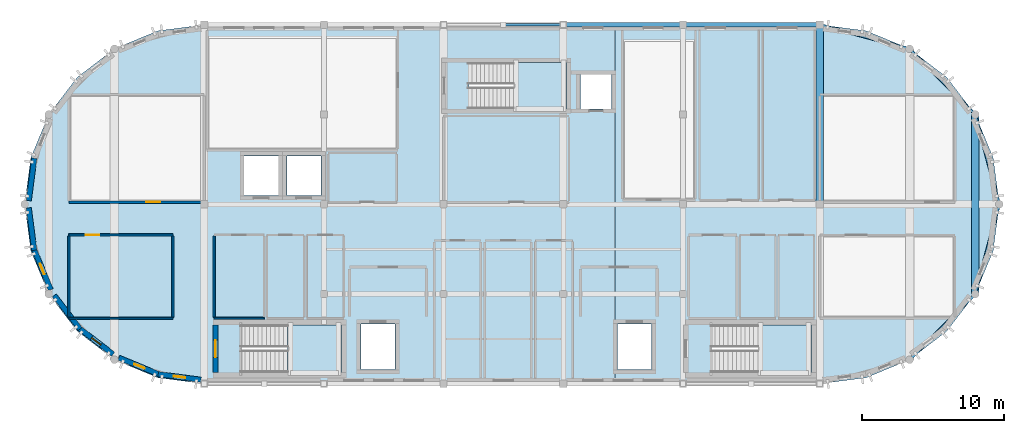
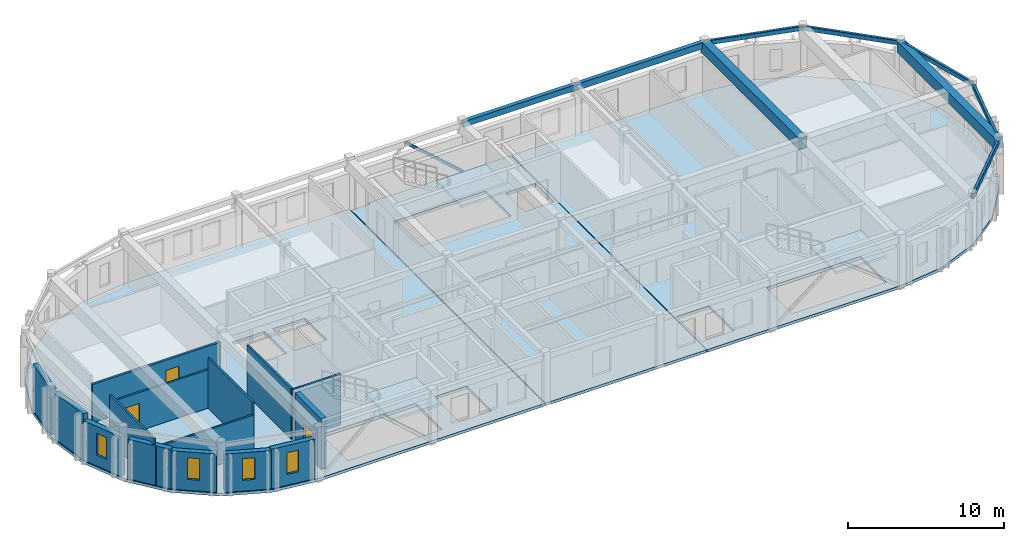
# One storey, part 2 of 11: 15 walls, 9 beams, 6 slabs, 4 windows, 3 doors, 1 member, 7 openings, 3 elements without a shape of their own.
"""IFC4 building model written with IfcOpenShell, lengths in metres."""

import ifcopenshell
import ifcopenshell.guid

model = None  # the IFC model being written
_history = None  # IfcOwnerHistory: only IFC2X3 demands one
_inside = {}  # id of a spatial element -> (the spatial element, [elements in it])
_under = {}  # id of a project, library or spatial element -> (it, [spatial elements below it])
_declared = {}  # id of a project -> (the project, [libraries it declares])
_typed = {}  # id of a type object -> (the type object, [elements of that type])
_made_of = {}  # id of a material, layer set ... -> (it, [elements and type objects made of it])


def new_model(schema):
    """Start an empty IFC model of exactly this schema.

    Asked for "IFC4X3", IfcOpenShell would pick the latest addendum, in which some entities
    have other attributes; the version numbers below select the first issue.
    IFC2X3 requires an IfcOwnerHistory on every rooted entity: one is made here for all.
    """
    global model, _history
    if schema == "IFC4X3":
        model = ifcopenshell.file(schema_version=(4, 3, 0, 0))
    else:
        model = ifcopenshell.file(schema=schema)
    _inside.clear()
    _under.clear()
    _declared.clear()
    _typed.clear()
    _made_of.clear()
    _history = None
    if model.schema == "IFC2X3":
        org = make("IfcOrganization", Name="unknown")
        user = make(
            "IfcPersonAndOrganization",
            ThePerson=make("IfcPerson", FamilyName="unknown"),
            TheOrganization=org,
        )
        app = make(
            "IfcApplication",
            ApplicationDeveloper=org,
            Version="unknown",
            ApplicationFullName="unknown",
            ApplicationIdentifier="unknown",
        )
        _history = make(
            "IfcOwnerHistory",
            OwningUser=user,
            OwningApplication=app,
            ChangeAction="ADDED",
            CreationDate=0,
        )
    return model


def make(cls, **values):
    """One entity of the class cls with the attributes given. An attribute that is None is left unset."""
    return model.create_entity(
        cls, **{name: value for name, value in values.items() if value is not None}
    )


def rooted(cls, **values):
    """An entity with a GlobalId (a new one), such as an element, a storey or a relation."""
    return make(cls, GlobalId=ifcopenshell.guid.new(), OwnerHistory=_history, **values)


def si_unit(unit_type, name, prefix=None):
    """IfcSIUnit, for example si_unit("LENGTHUNIT", "METRE", prefix="MILLI")."""
    return make("IfcSIUnit", UnitType=unit_type, Prefix=prefix, Name=name)


def assignment(units):
    """IfcUnitAssignment: the units of a project."""
    return None if units is None else make("IfcUnitAssignment", Units=units)


def point(xyz):
    """IfcCartesianPoint."""
    return None if xyz is None else make("IfcCartesianPoint", Coordinates=xyz)


def direction(xyz):
    """IfcDirection."""
    return None if xyz is None else make("IfcDirection", DirectionRatios=xyz)


def frame(location, z_axis=None, x_axis=None):
    """IfcAxis2Placement3D, a coordinate frame: its origin and axes. An axis left out is left unset."""
    return make(
        "IfcAxis2Placement3D",
        Location=point(location),
        Axis=direction(z_axis),
        RefDirection=direction(x_axis),
    )


def frame_2d(location, x_axis=None):
    """IfcAxis2Placement2D, a coordinate frame in the plane: its origin and x axis."""
    return make(
        "IfcAxis2Placement2D", Location=point(location), RefDirection=direction(x_axis)
    )


def origin():
    """The frame at (0, 0, 0) with its axes left unset."""
    return frame((0.0, 0.0, 0.0))


def origin_2d():
    """The frame at (0, 0) in the plane with its x axis left unset."""
    return frame_2d((0.0, 0.0))


def place(relative_to, where):
    """IfcLocalPlacement: puts the frame where relative to a parent placement (None: the world)."""
    return make(
        "IfcLocalPlacement", PlacementRelTo=relative_to, RelativePlacement=where
    )


def context(
    kind, dimensions, precision=None, world=None, true_north=None, identifier=None
):
    """IfcGeometricRepresentationContext, for example the 3D "Model" context."""
    return make(
        "IfcGeometricRepresentationContext",
        ContextIdentifier=identifier,
        ContextType=kind,
        CoordinateSpaceDimension=dimensions,
        Precision=precision,
        WorldCoordinateSystem=world,
        TrueNorth=true_north,
    )


def subcontext(parent, identifier, kind, view, scale=None):
    """IfcGeometricRepresentationSubContext, for example "Body" below "Model"."""
    return make(
        "IfcGeometricRepresentationSubContext",
        ContextIdentifier=identifier,
        ContextType=kind,
        ParentContext=parent,
        TargetScale=scale,
        TargetView=view,
    )


def project(units=None, contexts=None):
    """IfcProject with its units and contexts."""
    return rooted(
        "IfcProject",
        Name="project",
        RepresentationContexts=contexts,
        UnitsInContext=assignment(units),
    )


def spatial(cls, under=None, at=None, **own):
    """A site, building, storey or space (cls), placed at a placement, below another one or the project."""
    s = rooted(cls, ObjectPlacement=at, **own)
    if under is not None:
        _under.setdefault(under.id(), (under, []))[1].append(s)
    return s


def polyline(points):
    """IfcPolyline through the points."""
    return make("IfcPolyline", Points=[point(p) for p in points])


def profile(cls, at=None, kind="AREA", **sizes):
    """A parametric profile (cls). Its sizes go by their IFC names, for example OverallWidth=200.0."""
    return make(cls, ProfileType=kind, Position=at, **sizes)


def rectangle(**sizes):
    """IfcRectangleProfileDef."""
    return profile("IfcRectangleProfileDef", **sizes)


def hollow_rectangle(**sizes):
    """IfcRectangleHollowProfileDef."""
    return profile("IfcRectangleHollowProfileDef", **sizes)


def outline(outer, holes=None, kind="AREA"):
    """IfcArbitraryClosedProfileDef: a profile drawn as a closed curve; with holes, ...WithVoids."""
    if holes is None:
        return make("IfcArbitraryClosedProfileDef", ProfileType=kind, OuterCurve=outer)
    return make(
        "IfcArbitraryProfileDefWithVoids",
        ProfileType=kind,
        OuterCurve=outer,
        InnerCurves=holes,
    )


def extrude(swept, where, along, depth):
    """IfcExtrudedAreaSolid: the profile swept, set in the frame where, extruded along a direction by depth."""
    return make(
        "IfcExtrudedAreaSolid",
        SweptArea=swept,
        Position=where,
        ExtrudedDirection=direction(along),
        Depth=depth,
    )


def shape(context_of_items, identifier, shape_type, items):
    """IfcShapeRepresentation: the items that make up one representation, for example the "Body"."""
    return make(
        "IfcShapeRepresentation",
        ContextOfItems=context_of_items,
        RepresentationIdentifier=identifier,
        RepresentationType=shape_type,
        Items=items,
    )


def material(Name=None, Category=None):
    """IfcMaterial."""
    return make("IfcMaterial", Name=Name, Category=Category)


def layer(
    of_material, thickness, ventilated=None, Name=None, Category=None, Priority=None
):
    """IfcMaterialLayer: one layer of a wall or slab, of a material (None: an air gap)."""
    return make(
        "IfcMaterialLayer",
        Material=of_material,
        LayerThickness=thickness,
        IsVentilated=ventilated,
        Name=Name,
        Category=Category,
        Priority=Priority,
    )


def layer_set(layers, Name=None):
    """IfcMaterialLayerSet."""
    return make("IfcMaterialLayerSet", MaterialLayers=layers, LayerSetName=Name)


def material_profile(
    of_material, cross_section, Name=None, Category=None, Priority=None
):
    """IfcMaterialProfile: a cross section and its material."""
    return make(
        "IfcMaterialProfile",
        Name=Name,
        Material=of_material,
        Profile=cross_section,
        Priority=Priority,
        Category=Category,
    )


def profile_set(profiles, Name=None, composite=None):
    """IfcMaterialProfileSet."""
    return make(
        "IfcMaterialProfileSet",
        Name=Name,
        MaterialProfiles=profiles,
        CompositeProfile=composite,
    )


def made_of(thing, what):
    """Note that an element or type object is made of a material, layer set ...; save() writes the relation."""
    if what is not None:
        _made_of.setdefault(what.id(), (what, []))[1].append(thing)
    return thing


def type_object(cls, material=None, **own):
    """A type object (cls), such as IfcWallType, which elements share."""
    return made_of(rooted(cls, **own), material)


def element(
    cls,
    number,
    at=None,
    inside=None,
    cuts=None,
    type_object=None,
    material=None,
    context=None,
    identifier="Body",
    shape_type=None,
    held_by="IfcProductDefinitionShape",
    body=None,
    shapes=None,
    **own,
):
    """One element of the class cls, such as IfcWall. Its Tag is "e" and its number.

    at: its placement. inside: the storey or other place that contains it. cuts: it is an
    opening in that element (IfcRelVoidsElement). A single representation is given by context,
    identifier, shape_type and body (its items); several are given by shapes. held_by: the class
    of the entity that holds the representations. save() writes the other relations.
    """
    e = rooted(cls, Tag="e%d" % number, ObjectPlacement=at, **own)
    if body is not None:
        shapes = [shape(context, identifier, shape_type, body)]
    if shapes is not None:
        e.Representation = make(held_by, Representations=shapes)
    if inside is not None:
        _inside.setdefault(inside.id(), (inside, []))[1].append(e)
    if cuts is not None:
        rooted(
            "IfcRelVoidsElement", RelatingBuildingElement=cuts, RelatedOpeningElement=e
        )
    if type_object is not None:
        _typed.setdefault(type_object.id(), (type_object, []))[1].append(e)
    return made_of(e, material)


def fill(opening, filler):
    """IfcRelFillsElement: the door or window that sits in an opening."""
    return rooted(
        "IfcRelFillsElement",
        RelatingOpeningElement=opening,
        RelatedBuildingElement=filler,
    )


def aggregate(whole, parts):
    """IfcRelAggregates: a whole, such as a stair, and the parts it consists of."""
    return rooted("IfcRelAggregates", RelatingObject=whole, RelatedObjects=parts)


def save(model, path):
    """Write the relations noted so far, then the file.

    IfcRelAggregates (storeys below a building ...), IfcRelContainedInSpatialStructure (elements
    in a storey), IfcRelDefinesByType, IfcRelAssociatesMaterial and IfcRelDeclares: one each for
    every whole, place, type object, material and project.
    """
    for whole, parts in _under.values():
        aggregate(whole, parts)
    for where, things in _inside.values():
        rooted(
            "IfcRelContainedInSpatialStructure",
            RelatedElements=things,
            RelatingStructure=where,
        )
    for kind, things in _typed.values():
        rooted("IfcRelDefinesByType", RelatedObjects=things, RelatingType=kind)
    for what, things in _made_of.values():
        rooted("IfcRelAssociatesMaterial", RelatedObjects=things, RelatingMaterial=what)
    for by, libraries in _declared.values():
        rooted("IfcRelDeclares", RelatingContext=by, RelatedDefinitions=libraries)
    model.write(path)


model = new_model("IFC4")

# Units and contexts
model_context = context("Model", 3, precision=1e-05, world=origin(), true_north=direction((0.0, 1.0)))
body_context = subcontext(model_context, "Body", "Model", "MODEL_VIEW")
ifc_project = project(units=[si_unit("LENGTHUNIT", "METRE"), si_unit("AREAUNIT", "SQUARE_METRE"), si_unit("VOLUMEUNIT", "CUBIC_METRE"), si_unit("PLANEANGLEUNIT", "RADIAN"), si_unit("MASSUNIT", "GRAM", prefix="KILO")], contexts=[model_context])

# Site, building, storey
site_placement = place(None, origin())
site = spatial("IfcSite", under=ifc_project, at=site_placement, CompositionType="ELEMENT")
building_placement = place(site_placement, origin())
building = spatial("IfcBuilding", under=site, at=building_placement, Name="Tarnavel Promenade Courthouse", CompositionType="ELEMENT")
storey_placement = place(building_placement, frame((0.0, 0.0, 31.199951171875)))
storey = spatial("IfcBuildingStorey", under=building, at=storey_placement, Name="L08", CompositionType="ELEMENT", Elevation=31.199951171875)

# Beams
ifc_material_1 = material(Name="Concrete C40/50", Category="concrete")
ifc_material_profile_1 = material_profile(ifc_material_1, rectangle(XDim=0.550048828125, YDim=0.85009765625, at=origin_2d()), Name="PT 550x850")
ifc_profile_set_1 = profile_set([ifc_material_profile_1], Name="Concrete C40/50")
beam_type_1 = type_object("IfcBeamType", Name="Concrete C40/50 BM-PT-550x850 (PT 550x850)", PredefinedType="T_BEAM", material=ifc_profile_set_1)
beam_1_placement = place(storey_placement, frame((102.0, 91.800048828125, 3.550048828125), z_axis=(0.0, 1.0, 0.0), x_axis=(-1.0, 0.0, 0.0)))
element("IfcBeam", 1, at=beam_1_placement, inside=storey, type_object=beam_type_1, Name="L08 Transverse Girder 2618", PredefinedType="T_BEAM", context=body_context, shape_type="SweptSolid", body=[
    extrude(rectangle(XDim=0.550048828125, YDim=0.85009765625, at=origin_2d()), origin(), (0.0, 0.0, 1.0), 12.599853515625),
])
beam_2_placement = place(storey_placement, frame((112.911865234375, 85.5, 3.550048828125), z_axis=(0.0, 1.0, 0.0), x_axis=(-1.0, 0.0, 0.0)))
element("IfcBeam", 2, at=beam_2_placement, inside=storey, type_object=beam_type_1, Name="L08 Transverse Girder 2620", PredefinedType="T_BEAM", context=body_context, shape_type="SweptSolid", body=[
    extrude(rectangle(XDim=0.550048828125, YDim=0.85009765625, at=origin_2d()), origin(), (0.0, 0.0, 1.0), 12.60009765625),
])
ifc_material_profile_2 = material_profile(ifc_material_1, rectangle(XDim=0.300048828125, YDim=0.449951171875, at=origin_2d()), Name="RC 300x450")
ifc_profile_set_2 = profile_set([ifc_material_profile_2], Name="Concrete C40/50")
beam_type_2 = type_object("IfcBeamType", Name="Concrete C40/50 BM-SP-300x450 (RC 300x450)", PredefinedType="SPANDREL", material=ifc_profile_set_2)
beam_3_placement = place(storey_placement, frame((84.0, 104.39990234375, 3.75), z_axis=(1.0, 0.0, 0.0), x_axis=(0.0, 1.0, 0.0)))
element("IfcBeam", 3, at=beam_3_placement, inside=storey, type_object=beam_type_2, Name="L08 Primary Longitudinal Beam 2596", PredefinedType="SPANDREL", context=body_context, shape_type="SweptSolid", body=[
    extrude(rectangle(XDim=0.300048828125, YDim=0.449951171875, at=origin_2d()), origin(), (0.0, 0.0, 1.0), 8.39990234375),
])
ifc_material_profile_3 = material_profile(ifc_material_1, rectangle(XDim=0.300048828125, YDim=0.5, at=origin_2d()), Name="RC 300x500")
ifc_profile_set_3 = profile_set([ifc_material_profile_3], Name="Concrete C40/50")
beam_type_3 = type_object("IfcBeamType", Name="Concrete C40/50 BM-SP-300x500 (RC 300x500)", PredefinedType="SPANDREL", material=ifc_profile_set_3)
beam_4_placement = place(storey_placement, frame((92.39990234375, 104.39990234375, 3.72509765625), z_axis=(1.0, 0.0, 0.0), x_axis=(0.0, 1.0, 0.0)))
element("IfcBeam", 4, at=beam_4_placement, inside=storey, type_object=beam_type_3, Name="L08 Primary Longitudinal Beam 2597", PredefinedType="SPANDREL", context=body_context, shape_type="SweptSolid", body=[
    extrude(rectangle(XDim=0.300048828125, YDim=0.5, at=origin_2d()), origin(), (0.0, 0.0, 1.0), 9.60009765625),
])
ifc_material_2 = material(Name="Steel S355J2", Category="steel")
ifc_material_profile_4 = material_profile(ifc_material_2, hollow_rectangle(XDim=0.199951171875, YDim=0.35009765625, WallThickness=0.012451171875, InnerFilletRadius=0.012451171875, OuterFilletRadius=0.02490234375, at=origin_2d()), Name="RHS 350x200x12.5")
ifc_profile_set_4 = profile_set([ifc_material_profile_4], Name="Steel S355J2")
beam_type_4 = type_object("IfcBeamType", Name="Steel S355J2 BM-ST-RHS350 (RHS 350x200x12.5)", PredefinedType="SPANDREL", material=ifc_profile_set_4)
beam_5_placement = place(storey_placement, frame((108.300048828125, 80.88818359375, 3.800048828125), z_axis=(0.707106781187, 0.707106781187, 0.0), x_axis=(-0.707106781187, 0.707106781187, 0.0)))
element("IfcBeam", 5, at=beam_5_placement, inside=storey, type_object=beam_type_4, Name="L08 Drum Ring Spandrel 2632", PredefinedType="SPANDREL", context=body_context, shape_type="SweptSolid", body=[
    extrude(hollow_rectangle(XDim=0.199951171875, YDim=0.35009765625, WallThickness=0.012451171875, InnerFilletRadius=0.012451171875, OuterFilletRadius=0.02490234375, at=origin_2d()), origin(), (0.0, 0.0, 1.0), 6.52197265625),
])
for number, where, z_axis, x_axis, name in (
    (6, (112.911865234375, 85.5, 3.800048828125), (0.258838989821, 0.965920481897, 0.0), (-0.965920481897, 0.258838989821, 0.0), "L08 Drum Ring Spandrel 2633"),
    (7, (114.60009765625, 91.800048828125, 3.800048828125), (-0.258838989821, 0.965920481897, 0.0), (-0.965920481897, -0.258838989821, 0.0), "L08 Drum Ring Spandrel 2634"),
):
    element("IfcBeam", number, at=place(storey_placement, frame(where, z_axis=z_axis, x_axis=x_axis)), inside=storey, type_object=beam_type_4, Name=name, PredefinedType="SPANDREL", context=body_context, shape_type="SweptSolid", body=[
        extrude(hollow_rectangle(XDim=0.199951171875, YDim=0.35009765625, WallThickness=0.012451171875, InnerFilletRadius=0.012451171875, OuterFilletRadius=0.02490234375, at=origin_2d()), origin(), (0.0, 0.0, 1.0), 6.522216796875),
    ])
beam_6_placement = place(storey_placement, frame((112.911865234375, 98.10009765625, 3.800048828125), z_axis=(-0.707106781187, 0.707106781187, 0.0), x_axis=(-0.707106781187, -0.707106781187, 0.0)))
element("IfcBeam", 8, at=beam_6_placement, inside=storey, type_object=beam_type_4, Name="L08 Drum Ring Spandrel 2635", PredefinedType="SPANDREL", context=body_context, shape_type="SweptSolid", body=[
    extrude(hollow_rectangle(XDim=0.199951171875, YDim=0.35009765625, WallThickness=0.012451171875, InnerFilletRadius=0.012451171875, OuterFilletRadius=0.02490234375, at=origin_2d()), origin(), (0.0, 0.0, 1.0), 6.52197265625),
])
beam_7_placement = place(storey_placement, frame((108.300048828125, 102.7119140625, 3.800048828125), z_axis=(-0.965929839907, 0.258804065612, 0.0), x_axis=(-0.258804065612, -0.965929839907, 0.0)))
element("IfcBeam", 9, at=beam_7_placement, inside=storey, type_object=beam_type_4, Name="L08 Drum Ring Spandrel 2636", PredefinedType="SPANDREL", context=body_context, shape_type="SweptSolid", body=[
    extrude(hollow_rectangle(XDim=0.199951171875, YDim=0.35009765625, WallThickness=0.012451171875, InnerFilletRadius=0.012451171875, OuterFilletRadius=0.02490234375, at=origin_2d()), origin(), (0.0, 0.0, 1.0), 6.522216796875),
])

# Member
ifc_material_profile_5 = material_profile(ifc_material_2, hollow_rectangle(XDim=0.199951171875, YDim=0.199951171875, WallThickness=0.012451171875, InnerFilletRadius=0.012451171875, OuterFilletRadius=0.02490234375, at=origin_2d()), Name="SHS 200x200x12.5")
ifc_profile_set_5 = profile_set([ifc_material_profile_5], Name="Steel S355J2")
member_type = type_object("IfcMemberType", Name="Steel S355J2 MEM-BR-SHS200 (SHS 200x200x12.5)", PredefinedType="BRACE", material=ifc_profile_set_5)
member_placement = place(storey_placement, frame((84.0, 104.39990234375, 0.0), z_axis=(-0.748133483308, 0.0, 0.663548258345), x_axis=(0.0, -1.0, 0.0)))
element("IfcMember", 10, at=member_placement, inside=storey, type_object=member_type, Name="L08 V5 Chevron Brace B 026", PredefinedType="BRACE", context=body_context, shape_type="SweptSolid", body=[
    extrude(hollow_rectangle(XDim=0.199951171875, YDim=0.199951171875, WallThickness=0.012451171875, InnerFilletRadius=0.012451171875, OuterFilletRadius=0.02490234375, at=origin_2d()), origin(), (0.0, 0.0, 1.0), 5.614013671875),
])

# Slabs
ifc_material_3 = material(Name="Concrete C35/45", Category="concrete")
ifc_layer_1 = layer(ifc_material_3, 0.219970703125)
ifc_layer_set_1 = layer_set([ifc_layer_1], Name="Concrete C35/45")
slab_type_1 = type_object("IfcSlabType", Name="Concrete C35/45 SLB-FLR-220 (220 mm)", PredefinedType="FLOOR", material=ifc_layer_set_1)
slab_1_placement = place(storey_placement, frame((0.0, 0.0, -0.219970703125)))
element("IfcSlab", 11, at=slab_1_placement, inside=storey, type_object=slab_type_1, Name="L08 Stacked Courts West Drum Floor Slab", PredefinedType="FLOOR", context=body_context, shape_type="SweptSolid", body=[
    extrude(outline(polyline([(75.580078125, 79.219970703125), (75.580078125, 104.3798828125), (58.800048828125, 104.39990234375), (55.538818359375, 103.970703125), (52.5, 102.7119140625), (49.890380859375, 100.70947265625), (47.88818359375, 98.10009765625), (46.62939453125, 95.06103515625), (46.199951171875, 91.800048828125), (46.62939453125, 88.538818359375), (47.88818359375, 85.5), (49.890380859375, 82.890380859375), (52.5, 80.88818359375), (55.538818359375, 79.62939453125), (58.800048828125, 79.199951171875), (75.580078125, 79.219970703125)]), holes=[polyline([(61.405029296875, 80.0), (68.39990234375, 80.0), (68.39990234375, 83.320068359375), (61.405029296875, 83.320068359375), (61.405029296875, 80.0)]), polyline([(69.800048828125, 80.199951171875), (72.199951171875, 80.199951171875), (72.199951171875, 83.39990234375), (69.800048828125, 83.39990234375), (69.800048828125, 80.199951171875)]), polyline([(61.60009765625, 92.39990234375), (64.0, 92.39990234375), (64.0, 95.199951171875), (61.60009765625, 95.199951171875), (61.60009765625, 92.39990234375)]), polyline([(64.60009765625, 92.39990234375), (67.0, 92.39990234375), (67.0, 95.199951171875), (64.60009765625, 95.199951171875), (64.60009765625, 92.39990234375)])]), origin(), (0.0, 0.0, 1.0), 0.219970703125),
])
slab_2_placement = place(storey_placement, frame((0.0, 0.0, -0.219970703125)))
element("IfcSlab", 12, at=slab_2_placement, inside=storey, type_object=slab_type_1, Name="L08 Stacked Courts Central Floor Slab", PredefinedType="FLOOR", context=body_context, shape_type="SweptSolid", body=[
    extrude(outline(polyline([(75.6201171875, 79.219970703125), (87.580078125, 79.219970703125), (87.580078125, 104.3798828125), (77.02001953125, 104.3798828125), (77.02001953125, 104.219970703125), (75.6201171875, 104.219970703125), (75.6201171875, 79.219970703125)]), holes=[polyline([(77.364990234375, 98.5), (84.199951171875, 98.5), (84.199951171875, 101.739990234375), (77.364990234375, 101.739990234375), (77.364990234375, 98.5)]), polyline([(85.199951171875, 98.5), (87.39990234375, 98.5), (87.39990234375, 100.89990234375), (85.199951171875, 100.89990234375), (85.199951171875, 98.5)])]), origin(), (0.0, 0.0, 1.0), 0.219970703125),
])
slab_3_placement = place(storey_placement, frame((0.0, 0.0, -0.219970703125)))
element("IfcSlab", 13, at=slab_3_placement, inside=storey, type_object=slab_type_1, Name="L08 Stacked Courts East Drum Floor Slab", PredefinedType="FLOOR", context=body_context, shape_type="SweptSolid", body=[
    extrude(outline(polyline([(87.6201171875, 104.3798828125), (87.6201171875, 79.219970703125), (102.0, 79.199951171875), (105.26123046875, 79.62939453125), (108.300048828125, 80.88818359375), (110.909423828125, 82.890380859375), (112.911865234375, 85.5), (114.170654296875, 88.538818359375), (114.60009765625, 91.800048828125), (114.170654296875, 95.06103515625), (112.911865234375, 98.10009765625), (110.909423828125, 100.70947265625), (108.300048828125, 102.7119140625), (105.26123046875, 103.970703125), (102.0, 104.39990234375), (87.6201171875, 104.3798828125)]), holes=[polyline([(94.405029296875, 80.0), (101.39990234375, 80.0), (101.39990234375, 83.320068359375), (94.405029296875, 83.320068359375), (94.405029296875, 80.0)]), polyline([(87.800048828125, 80.199951171875), (90.199951171875, 80.199951171875), (90.199951171875, 83.39990234375), (87.800048828125, 83.39990234375), (87.800048828125, 80.199951171875)])]), origin(), (0.0, 0.0, 1.0), 0.219970703125),
])

# Stair, slab
stair_type_1 = type_object("IfcStairType", Name="Concrete C35/45 Half-Turn Stair STR-03 (1560W-300G-24R)", PredefinedType="HALF_TURN_STAIR", material=ifc_material_3)
stair_1_placement = place(storey_placement, origin())
stair_1 = element("IfcStair", 14, at=stair_1_placement, inside=storey, type_object=stair_type_1, Name="L08 West Bar Firefighting Exit Stair", PredefinedType="HALF_TURN_STAIR")
ifc_layer_2 = layer(ifc_material_3, 0.205078125)
ifc_layer_set_2 = layer_set([ifc_layer_2], Name="Concrete C35/45")
slab_type_2 = type_object("IfcSlabType", Name="Concrete C35/45 Stair Landing SLB-LND-205 (205 mm)", PredefinedType="LANDING", material=ifc_layer_set_2)
slab_4_placement = place(storey_placement, frame((0.0, 0.0, 1.900146484375)))
slab_4 = element("IfcSlab", 15, at=slab_4_placement, type_object=slab_type_2, Name="ST-01 landing 1", PredefinedType="LANDING", context=body_context, shape_type="SweptSolid", body=[
    extrude(outline(polyline([(64.659912109375, 80.0), (68.39990234375, 80.0), (68.39990234375, 83.320068359375), (64.659912109375, 83.320068359375), (64.659912109375, 80.0)])), origin(), (0.0, 0.0, 1.0), 0.199951171875),
])
aggregate(stair_1, [slab_4])

stair_2_placement = place(storey_placement, origin())
stair_2 = element("IfcStair", 16, at=stair_2_placement, inside=storey, type_object=stair_type_1, Name="L08 East Bar Firefighting Exit Stair", PredefinedType="HALF_TURN_STAIR")
slab_5_placement = place(storey_placement, frame((0.0, 0.0, 1.900146484375)))
slab_5 = element("IfcSlab", 17, at=slab_5_placement, type_object=slab_type_2, Name="ST-02 landing 1", PredefinedType="LANDING", context=body_context, shape_type="SweptSolid", body=[
    extrude(outline(polyline([(97.659912109375, 80.0), (101.39990234375, 80.0), (101.39990234375, 83.320068359375), (97.659912109375, 83.320068359375), (97.659912109375, 80.0)])), origin(), (0.0, 0.0, 1.0), 0.199951171875),
])
aggregate(stair_2, [slab_5])

stair_type_2 = type_object("IfcStairType", Name="Concrete C35/45 Half-Turn Stair STR-06 (1520W-290G-24R)", PredefinedType="HALF_TURN_STAIR", material=ifc_material_3)
stair_3_placement = place(storey_placement, origin())
stair_3 = element("IfcStair", 18, at=stair_3_placement, inside=storey, type_object=stair_type_2, Name="L08 Central Judicial Chambers Exit Stair", PredefinedType="HALF_TURN_STAIR")
slab_6_placement = place(storey_placement, frame((0.0, 0.0, 1.900146484375)))
slab_6 = element("IfcSlab", 19, at=slab_6_placement, type_object=slab_type_2, Name="ST-03 landing 1", PredefinedType="LANDING", context=body_context, shape_type="SweptSolid", body=[
    extrude(outline(polyline([(80.510009765625, 98.5), (84.199951171875, 98.5), (84.199951171875, 101.739990234375), (80.510009765625, 101.739990234375), (80.510009765625, 98.5)])), origin(), (0.0, 0.0, 1.0), 0.199951171875),
])
aggregate(stair_3, [slab_6])

# Wall, opening, door
ifc_material_4 = material(Name="Acoustic Insulated Gypsum Stud Partition", Category="gypsum")
ifc_layer_3 = layer(ifc_material_4, 0.1650390625)
ifc_layer_set_3 = layer_set([ifc_layer_3], Name="Acoustic Insulated Gypsum Stud Partition")
wall_type_1 = type_object("IfcWallType", Name="Acoustic Insulated Gypsum Stud Partition WL-CHM-165 (165 mm)", PredefinedType="PARTITIONING", material=ifc_layer_set_3)
wall_1_placement = place(storey_placement, frame((58.800048828125, 91.949951171875, 0.0), z_axis=(0.0, 0.0, 1.0), x_axis=(-1.0, 0.0, 0.0)))
wall_1 = element("IfcWall", 20, at=wall_1_placement, inside=storey, type_object=wall_type_1, Name="L08 L08 West Drum Rotunda Chambers North Partition 0974", PredefinedType="PARTITIONING", context=body_context, shape_type="SweptSolid", body=[
    extrude(rectangle(XDim=9.5, YDim=0.1650390625, at=frame_2d((4.75, 0.0))), origin(), (0.0, 0.0, 1.0), 3.010009765625),
])
opening_1_placement = place(wall_1_placement, frame((3.0869140625, 0.0, 0.0)))
opening_1 = element("IfcOpeningElement", 21, at=opening_1_placement, cuts=wall_1, Name="Opening ID-04", PredefinedType="OPENING", context=body_context, shape_type="SweptSolid", body=[
    extrude(rectangle(XDim=0.97998046875, YDim=2.199951171875, at=frame_2d((0.489990234375, 1.10009765625))), frame((0.0, 0.092529296875, 0.0), z_axis=(0.0, -1.0, 0.0), x_axis=(1.0, 0.0, 0.0)), (0.0, 0.0, 1.0), 0.18505859375),
])
ifc_material_5 = material(Name="Solid Oak Judges Chambers Door")
door_type_1 = type_object("IfcDoorType", Name="Solid Oak Judges Chambers Door (DR-CHM-0980x2200)", OperationType="NOTDEFINED", PredefinedType="DOOR", material=ifc_material_5)
door_1_placement = place(opening_1_placement, origin())
door_1 = element("IfcDoor", 22, at=door_1_placement, inside=storey, type_object=door_type_1, Name="L08 L08 West Drum Rotunda Chambers North Door 0278", OperationType="SINGLE_SWING_RIGHT", OverallHeight=2.199951171875, OverallWidth=0.97998046875, PredefinedType="DOOR", context=body_context, shape_type="SweptSolid", body=[
    extrude(rectangle(XDim=0.97998046875, YDim=2.199951171875, at=frame_2d((0.489990234375, 1.10009765625))), frame((0.0, 0.02490234375, 0.0), z_axis=(0.0, -1.0, 0.0), x_axis=(1.0, 0.0, 0.0)), (0.0, 0.0, 1.0), 0.050048828125),
])
fill(opening_1, door_1)

ifc_layer_4 = layer(ifc_material_1, 0.360107421875)
ifc_layer_set_4 = layer_set([ifc_layer_4], Name="Concrete C40/50")
wall_type_2 = type_object("IfcWallType", Name="Concrete C40/50 WL-SHR-360 (360 mm)", PredefinedType="SHEAR", material=ifc_layer_set_4)
wall_2_placement = place(storey_placement, frame((59.60009765625, 79.97998046875, 0.0), z_axis=(0.0, 0.0, 1.0), x_axis=(0.0, 1.0, 0.0)))
wall_2 = element("IfcWall", 23, at=wall_2_placement, inside=storey, type_object=wall_type_2, Name="L08 ST-01 Shear Core West Landing Wall", PredefinedType="SHEAR", context=body_context, shape_type="SweptSolid", body=[
    extrude(rectangle(XDim=3.360107421875, YDim=0.360107421875, at=frame_2d((1.68017578125, 0.0))), origin(), (0.0, 0.0, 1.0), 3.97998046875),
])
opening_2_placement = place(wall_2_placement, frame((1.080078125, 0.0, 0.0)))
opening_2 = element("IfcOpeningElement", 24, at=opening_2_placement, cuts=wall_2, Name="Opening FD-02", PredefinedType="OPENING", context=body_context, shape_type="SweptSolid", body=[
    extrude(rectangle(XDim=1.199951171875, YDim=2.199951171875, at=frame_2d((0.60009765625, 1.10009765625))), frame((0.0, 0.18994140625, 0.0), z_axis=(0.0, -1.0, 0.0), x_axis=(1.0, 0.0, 0.0)), (0.0, 0.0, 1.0), 0.380126953125),
])
ifc_material_6 = material(Name="Steel Fire-Rated Firefighting Stair Door", Category="steel")
door_type_2 = type_object("IfcDoorType", Name="Steel Fire-Rated Firefighting Stair Door (DR-ST-1200x2200)", OperationType="NOTDEFINED", PredefinedType="DOOR", material=ifc_material_6)
door_2_placement = place(opening_2_placement, origin())
door_2 = element("IfcDoor", 25, at=door_2_placement, inside=storey, type_object=door_type_2, Name="L08 ST-01 Protected Exit Stair Door", OperationType="SINGLE_SWING_RIGHT", OverallHeight=2.199951171875, OverallWidth=1.199951171875, PredefinedType="DOOR", context=body_context, shape_type="SweptSolid", body=[
    extrude(rectangle(XDim=1.199951171875, YDim=2.199951171875, at=frame_2d((0.60009765625, 1.10009765625))), frame((0.0, 0.02490234375, 0.0), z_axis=(0.0, -1.0, 0.0), x_axis=(1.0, 0.0, 0.0)), (0.0, 0.0, 1.0), 0.050048828125),
])
fill(opening_2, door_2)

# Walls
ifc_material_7 = material(Name="Metal-Stud Acoustic Gypsum Partition", Category="gypsum")
ifc_layer_5 = layer(ifc_material_7, 0.135009765625)
ifc_layer_set_5 = layer_set([ifc_layer_5], Name="Metal-Stud Acoustic Gypsum Partition")
wall_type_3 = type_object("IfcWallType", Name="Metal-Stud Acoustic Gypsum Partition WL-OFF-135 (135 mm)", PredefinedType="PARTITIONING", material=ifc_layer_set_5)
wall_3_placement = place(storey_placement, frame((63.0, 83.800048828125, 0.0), z_axis=(0.0, 0.0, 1.0), x_axis=(-1.0, 0.0, 0.0)))
element("IfcWall", 26, at=wall_3_placement, inside=storey, type_object=wall_type_3, Name="L08 L08 Bailiffs' Duty Room Partition 0937", PredefinedType="PARTITIONING", context=body_context, shape_type="SweptSolid", body=[
    extrude(rectangle(XDim=3.5, YDim=0.135009765625, at=frame_2d((1.75, 0.0))), origin(), (0.0, 0.0, 1.0), 3.965087890625),
])
wall_4_placement = place(storey_placement, frame((59.5, 83.87744140625, 0.0), z_axis=(0.0, 0.0, 1.0), x_axis=(0.0, 1.0, 0.0)))
element("IfcWall", 27, at=wall_4_placement, inside=storey, type_object=wall_type_3, Name="L08 L08 Bailiffs' Duty Room Partition 0938", PredefinedType="PARTITIONING", context=body_context, shape_type="SweptSolid", body=[
    extrude(rectangle(XDim=5.695068359375, YDim=0.135009765625, at=frame_2d((2.84765625, 0.0))), origin(), (0.0, 0.0, 1.0), 3.965087890625),
])

# Wall, opening, door
wall_5_placement = place(storey_placement, frame((49.300048828125, 89.64990234375, 0.0), z_axis=(0.0, 0.0, 1.0), x_axis=(1.0, 0.0, 0.0)))
wall_5 = element("IfcWall", 28, at=wall_5_placement, inside=storey, type_object=wall_type_3, Name="L08 L08 West Drum Rotunda Salon South Partition 0977", PredefinedType="PARTITIONING", context=body_context, shape_type="SweptSolid", body=[
    extrude(rectangle(XDim=7.300048828125, YDim=0.135009765625, at=frame_2d((3.64990234375, 0.0))), origin(), (0.0, 0.0, 1.0), 3.010009765625),
])
opening_3_placement = place(wall_5_placement, frame((1.197509765625, 0.0, 0.0)))
opening_3 = element("IfcOpeningElement", 29, at=opening_3_placement, cuts=wall_5, Name="Opening ID-06", PredefinedType="OPENING", context=body_context, shape_type="SweptSolid", body=[
    extrude(rectangle(XDim=0.949951171875, YDim=2.14990234375, at=frame_2d((0.47509765625, 1.074951171875))), frame((0.0, 0.077392578125, 0.0), z_axis=(0.0, -1.0, 0.0), x_axis=(1.0, 0.0, 0.0)), (0.0, 0.0, 1.0), 0.155029296875),
])
ifc_material_8 = material(Name="Acoustic Timber Veneer Office Door", Category="wood")
door_type_3 = type_object("IfcDoorType", Name="Acoustic Timber Veneer Office Door (DR-OFF-0950x2150)", OperationType="NOTDEFINED", PredefinedType="DOOR", material=ifc_material_8)
door_3_placement = place(opening_3_placement, origin())
door_3 = element("IfcDoor", 30, at=door_3_placement, inside=storey, type_object=door_type_3, Name="L08 L08 West Drum Rotunda Salon South Door 0279", OperationType="SINGLE_SWING_LEFT", OverallHeight=2.14990234375, OverallWidth=0.949951171875, PredefinedType="DOOR", context=body_context, shape_type="SweptSolid", body=[
    extrude(rectangle(XDim=0.949951171875, YDim=2.14990234375, at=frame_2d((0.47509765625, 1.074951171875))), frame((0.0, 0.02490234375, 0.0), z_axis=(0.0, -1.0, 0.0), x_axis=(1.0, 0.0, 0.0)), (0.0, 0.0, 1.0), 0.050048828125),
])
fill(opening_3, door_3)

# Walls
wall_6_placement = place(storey_placement, frame((56.60009765625, 83.800048828125, 0.0), z_axis=(0.0, 0.0, 1.0), x_axis=(-1.0, 0.0, 0.0)))
element("IfcWall", 31, at=wall_6_placement, inside=storey, type_object=wall_type_3, Name="L08 L08 West Drum Rotunda Salon South Partition 0978", PredefinedType="PARTITIONING", context=body_context, shape_type="SweptSolid", body=[
    extrude(rectangle(XDim=7.300048828125, YDim=0.135009765625, at=frame_2d((3.64990234375, 0.0))), origin(), (0.0, 0.0, 1.0), 3.010009765625),
])
wall_7_placement = place(storey_placement, frame((49.300048828125, 83.87744140625, 0.0), z_axis=(0.0, 0.0, 1.0), x_axis=(0.0, 1.0, 0.0)))
element("IfcWall", 32, at=wall_7_placement, inside=storey, type_object=wall_type_3, Name="L08 L08 West Drum Rotunda Salon South Partition 0979", PredefinedType="PARTITIONING", context=body_context, shape_type="SweptSolid", body=[
    extrude(rectangle(XDim=5.695068359375, YDim=0.135009765625, at=frame_2d((2.84765625, 0.0))), origin(), (0.0, 0.0, 1.0), 3.610107421875),
])
wall_8_placement = place(storey_placement, frame((56.60009765625, 89.572509765625, 0.0), z_axis=(0.0, 0.0, 1.0), x_axis=(0.0, -1.0, 0.0)))
element("IfcWall", 33, at=wall_8_placement, inside=storey, type_object=wall_type_3, Name="L08 L08 West Drum Rotunda Salon South Partition 0980", PredefinedType="PARTITIONING", context=body_context, shape_type="SweptSolid", body=[
    extrude(rectangle(XDim=5.695068359375, YDim=0.135009765625, at=frame_2d((2.84765625, 0.0))), origin(), (0.0, 0.0, 1.0), 3.965087890625),
])
ifc_material_9 = material(Name="Patinated Copper-Bronze Insulated Drum Wall Assembly", Category="masonry")
ifc_layer_6 = layer(ifc_material_9, 0.364990234375)
ifc_layer_set_6 = layer_set([ifc_layer_6], Name="Patinated Copper-Bronze Insulated Drum Wall Assembly")
wall_type_4 = type_object("IfcWallType", Name="Patinated Copper-Bronze Insulated Drum Wall Assembly WL-DRUM-365 (365 mm)", PredefinedType="ELEMENTEDWALL", material=ifc_layer_set_6)
for number, where, z_axis, x_axis, name in (
    (34, (46.877197265625, 95.028564453125, 0.0), (0.0, 0.0, 1.0), (-0.130517619253, -0.991445989989, 0.0), "L08 W Copper Drum Chord Wall 06 0219"),
    (35, (46.4853515625, 91.548095703125, 0.0), (0.0, 0.0, 1.0), (0.130517619253, -0.991445989989, 0.0), "L08 W Copper Drum Chord Wall 07 0220"),
):
    element("IfcWall", number, at=place(storey_placement, frame(where, z_axis=z_axis, x_axis=x_axis)), inside=storey, type_object=wall_type_4, Name=name, PredefinedType="ELEMENTEDWALL", context=body_context, shape_type="SweptSolid", body=[
        extrude(rectangle(XDim=3.002197265625, YDim=0.364990234375, at=frame_2d((1.5009765625, 0.0))), origin(), (0.0, 0.0, 1.0), 3.610107421875),
    ])

# Wall, opening, window
wall_9_placement = place(storey_placement, frame((46.8603515625, 88.634521484375, 0.0), z_axis=(0.0, 0.0, 1.0), x_axis=(0.382689777405, -0.923876904284, 0.0)))
wall_9 = element("IfcWall", 36, at=wall_9_placement, inside=storey, type_object=wall_type_4, Name="L08 W Copper Drum Chord Wall 08 0221", PredefinedType="ELEMENTEDWALL", context=body_context, shape_type="SweptSolid", body=[
    extrude(rectangle(XDim=3.062255859375, YDim=0.364990234375, at=frame_2d((1.53125, 0.0))), origin(), (0.0, 0.0, 1.0), 3.110107421875),
])
opening_4_placement = place(wall_9_placement, frame((1.087158203125, 0.0, 0.85009765625)))
opening_4 = element("IfcOpeningElement", 37, at=opening_4_placement, cuts=wall_9, Name="Opening W-09", PredefinedType="OPENING", context=body_context, shape_type="SweptSolid", body=[
    extrude(rectangle(XDim=0.800048828125, YDim=1.699951171875, at=frame_2d((0.39990234375, 0.85009765625))), frame((0.0, 0.1923828125, 0.0), z_axis=(0.0, -1.0, 0.0), x_axis=(1.0, 0.0, 0.0)), (0.0, 0.0, 1.0), 0.385009765625),
])
ifc_material_10 = material(Name="Triple Low-E Glazed Bronze-Clad Window Assembly")
window_type = type_object("IfcWindowType", Name="Triple-Glazed Bronze-Clad Timber-Aluminium WIN-DRM-0800x1700", PartitioningType="SINGLE_PANEL", PredefinedType="WINDOW", material=ifc_material_10)
window_1_placement = place(opening_4_placement, origin())
window_1 = element("IfcWindow", 38, at=window_1_placement, inside=storey, type_object=window_type, Name="L08 Exterior Window 0187", OverallHeight=1.699951171875, OverallWidth=0.800048828125, PartitioningType="SINGLE_PANEL", PredefinedType="WINDOW", context=body_context, shape_type="SweptSolid", body=[
    extrude(rectangle(XDim=0.800048828125, YDim=1.699951171875, at=frame_2d((0.39990234375, 0.85009765625))), frame((0.0, 0.030029296875, 0.0), z_axis=(0.0, -1.0, 0.0), x_axis=(1.0, 0.0, 0.0)), (0.0, 0.0, 1.0), 0.06005859375),
])
fill(opening_4, window_1)

# Wall
wall_10_placement = place(storey_placement, frame((48.2783203125, 85.40234375, 0.0), z_axis=(0.0, 0.0, 1.0), x_axis=(0.608710660898, -0.793392293452, 0.0)))
element("IfcWall", 39, at=wall_10_placement, inside=storey, type_object=wall_type_4, Name="L08 W Copper Drum Chord Wall 09 0222", PredefinedType="ELEMENTEDWALL", context=body_context, shape_type="SweptSolid", body=[
    extrude(rectangle(XDim=2.974365234375, YDim=0.364990234375, at=frame_2d((1.4873046875, 0.0))), origin(), (0.0, 0.0, 1.0), 3.110107421875),
])

# Wall, opening, window
wall_11_placement = place(storey_placement, frame((50.042724609375, 83.0888671875, 0.0), z_axis=(0.0, 0.0, 1.0), x_axis=(0.793361877219, -0.608750303306, 0.0)))
wall_11 = element("IfcWall", 40, at=wall_11_placement, inside=storey, type_object=wall_type_4, Name="L08 W Copper Drum Chord Wall 10 0223", PredefinedType="ELEMENTEDWALL", context=body_context, shape_type="SweptSolid", body=[
    extrude(rectangle(XDim=2.97412109375, YDim=0.364990234375, at=frame_2d((1.487060546875, 0.0))), origin(), (0.0, 0.0, 1.0), 3.010009765625),
])
opening_5_placement = place(wall_11_placement, frame((1.087158203125, 0.0, 0.85009765625)))
opening_5 = element("IfcOpeningElement", 41, at=opening_5_placement, cuts=wall_11, Name="Opening W-09", PredefinedType="OPENING", context=body_context, shape_type="SweptSolid", body=[
    extrude(rectangle(XDim=0.800048828125, YDim=1.699951171875, at=frame_2d((0.39990234375, 0.85009765625))), frame((0.0, 0.1923828125, 0.0), z_axis=(0.0, -1.0, 0.0), x_axis=(1.0, 0.0, 0.0)), (0.0, 0.0, 1.0), 0.385009765625),
])
window_2_placement = place(opening_5_placement, origin())
window_2 = element("IfcWindow", 42, at=window_2_placement, inside=storey, type_object=window_type, Name="L08 Exterior Window 0188", OverallHeight=1.699951171875, OverallWidth=0.800048828125, PartitioningType="SINGLE_PANEL", PredefinedType="WINDOW", context=body_context, shape_type="SweptSolid", body=[
    extrude(rectangle(XDim=0.800048828125, YDim=1.699951171875, at=frame_2d((0.39990234375, 0.85009765625))), frame((0.0, 0.030029296875, 0.0), z_axis=(0.0, -1.0, 0.0), x_axis=(1.0, 0.0, 0.0)), (0.0, 0.0, 1.0), 0.06005859375),
])
fill(opening_5, window_2)

wall_12_placement = place(storey_placement, frame((52.805419921875, 81.0322265625, 0.0), z_axis=(0.0, 0.0, 1.0), x_axis=(0.923876904284, -0.382689777405, 0.0)))
wall_12 = element("IfcWall", 43, at=wall_12_placement, inside=storey, type_object=wall_type_4, Name="L08 W Copper Drum Chord Wall 11 0224", PredefinedType="ELEMENTEDWALL", context=body_context, shape_type="SweptSolid", body=[
    extrude(rectangle(XDim=3.062255859375, YDim=0.364990234375, at=frame_2d((1.53125, 0.0))), origin(), (0.0, 0.0, 1.0), 3.010009765625),
])
opening_6_placement = place(wall_12_placement, frame((1.175048828125, 0.0, 0.85009765625)))
opening_6 = element("IfcOpeningElement", 44, at=opening_6_placement, cuts=wall_12, Name="Opening W-09", PredefinedType="OPENING", context=body_context, shape_type="SweptSolid", body=[
    extrude(rectangle(XDim=0.800048828125, YDim=1.699951171875, at=frame_2d((0.39990234375, 0.85009765625))), frame((0.0, 0.1923828125, 0.0), z_axis=(0.0, -1.0, 0.0), x_axis=(1.0, 0.0, 0.0)), (0.0, 0.0, 1.0), 0.385009765625),
])
window_3_placement = place(opening_6_placement, origin())
window_3 = element("IfcWindow", 45, at=window_3_placement, inside=storey, type_object=window_type, Name="L08 Exterior Window 0189", OverallHeight=1.699951171875, OverallWidth=0.800048828125, PartitioningType="SINGLE_PANEL", PredefinedType="WINDOW", context=body_context, shape_type="SweptSolid", body=[
    extrude(rectangle(XDim=0.800048828125, YDim=1.699951171875, at=frame_2d((0.39990234375, 0.85009765625))), frame((0.0, 0.030029296875, 0.0), z_axis=(0.0, -1.0, 0.0), x_axis=(1.0, 0.0, 0.0)), (0.0, 0.0, 1.0), 0.06005859375),
])
fill(opening_6, window_3)

wall_13_placement = place(storey_placement, frame((55.571533203125, 79.877197265625, 0.0), z_axis=(0.0, 0.0, 1.0), x_axis=(0.991438641413, -0.130573428817, 0.0)))
wall_13 = element("IfcWall", 46, at=wall_13_placement, inside=storey, type_object=wall_type_4, Name="L08 W Copper Drum Chord Wall 12 0225", PredefinedType="ELEMENTEDWALL", context=body_context, shape_type="SweptSolid", body=[
    extrude(rectangle(XDim=3.027099609375, YDim=0.364990234375, at=frame_2d((1.513671875, 0.0))), origin(), (0.0, 0.0, 1.0), 3.110107421875),
])
opening_7_placement = place(wall_13_placement, frame((1.099609375, 0.0, 0.85009765625)))
opening_7 = element("IfcOpeningElement", 47, at=opening_7_placement, cuts=wall_13, Name="Opening W-09", PredefinedType="OPENING", context=body_context, shape_type="SweptSolid", body=[
    extrude(rectangle(XDim=0.800048828125, YDim=1.699951171875, at=frame_2d((0.39990234375, 0.85009765625))), frame((0.0, 0.1923828125, 0.0), z_axis=(0.0, -1.0, 0.0), x_axis=(1.0, 0.0, 0.0)), (0.0, 0.0, 1.0), 0.385009765625),
])
window_4_placement = place(opening_7_placement, origin())
window_4 = element("IfcWindow", 48, at=window_4_placement, inside=storey, type_object=window_type, Name="L08 Exterior Window 0190", OverallHeight=1.699951171875, OverallWidth=0.800048828125, PartitioningType="SINGLE_PANEL", PredefinedType="WINDOW", context=body_context, shape_type="SweptSolid", body=[
    extrude(rectangle(XDim=0.800048828125, YDim=1.699951171875, at=frame_2d((0.39990234375, 0.85009765625))), frame((0.0, 0.030029296875, 0.0), z_axis=(0.0, -1.0, 0.0), x_axis=(1.0, 0.0, 0.0)), (0.0, 0.0, 1.0), 0.06005859375),
])
fill(opening_7, window_4)

save(model, "model.ifc")
